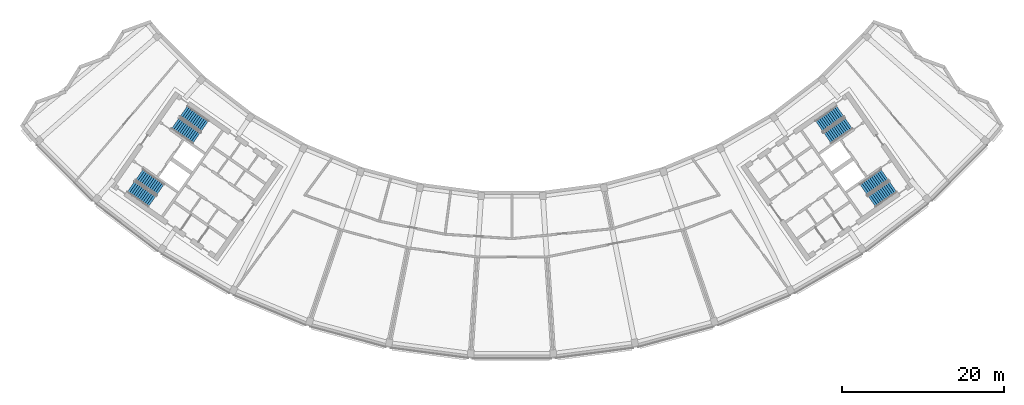
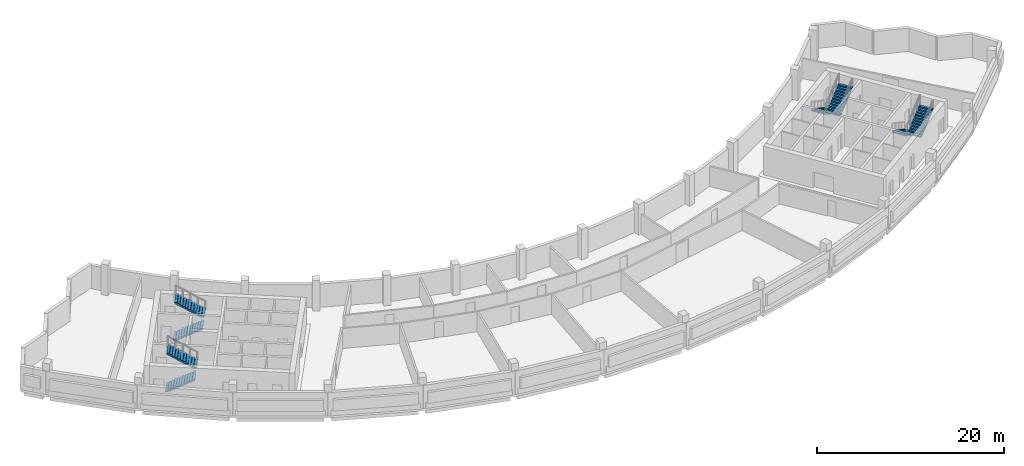
# One storey, part 7 of 11: 8 stair flights, 4 elements without a shape of their own.
"""IFC4 building model written with IfcOpenShell, lengths in metres."""

from ifc_helpers import new_model, si_unit, direction, frame, origin, place, context, subcontext, project, spatial, polyline, outline, extrude, material, type_object, element, aggregate, save


model = new_model("IFC4")

# Units and contexts
model_context = context("Model", 3, precision=1e-05, world=origin(), true_north=direction((0.0, 1.0)))
body_context = subcontext(model_context, "Body", "Model", "MODEL_VIEW")
ifc_project = project(units=[si_unit("LENGTHUNIT", "METRE"), si_unit("AREAUNIT", "SQUARE_METRE"), si_unit("VOLUMEUNIT", "CUBIC_METRE"), si_unit("PLANEANGLEUNIT", "RADIAN"), si_unit("MASSUNIT", "GRAM", prefix="KILO")], contexts=[model_context])

# Site, building, storey
site_placement = place(None, origin())
site = spatial("IfcSite", under=ifc_project, at=site_placement, CompositionType="ELEMENT")
building_placement = place(site_placement, origin())
building = spatial("IfcBuilding", under=site, at=building_placement, Name="Qamariyya Broadcast Tower", CompositionType="ELEMENT")
storey_placement = place(building_placement, frame((0.0, 0.0, 314.699951171875)))
storey = spatial("IfcBuildingStorey", under=building, at=storey_placement, Name="L76", CompositionType="ELEMENT", Elevation=314.699951171875)

# Stair, stair flights
ifc_material = material(Name="Concrete C50/60", Category="concrete")
stair_type = type_object("IfcStairType", Name="Exit stair 24 risers of 167 mm", PredefinedType="HALF_TURN_STAIR", material=ifc_material)
stair_1_placement = place(storey_placement, origin())
stair_1 = element("IfcStair", 1, at=stair_1_placement, inside=storey, type_object=stair_type, Name="L76 Stair W2", PredefinedType="HALF_TURN_STAIR")
stair_flight_type = type_object("IfcStairFlightType", Name="Exit stair flight 12 risers of 167 mm", PredefinedType="STRAIGHT", material=ifc_material)
stair_flight_1_placement = place(storey_placement, frame((-41.59130859375, -49.15966796875, 0.0), z_axis=(0.0, 0.0, 1.0), x_axis=(0.819152044289, -0.573576436351, 0.0)))
stair_flight_1 = element("IfcStairFlight", 2, at=stair_flight_1_placement, type_object=stair_flight_type, Name="ST-W2 flight 1", NumberOfRisers=12, NumberOfTreads=11, PredefinedType="STRAIGHT", RiserHeight=0.166666667, TreadLength=0.29, context=body_context, shape_type="SweptSolid", body=[
    extrude(outline(polyline([(0.0, 0.0), (0.0, 0.166748046875), (0.2900390625, 0.166748046875), (0.2900390625, 0.333251953125), (0.580078125, 0.333251953125), (0.580078125, 0.5), (0.8701171875, 0.5), (0.8701171875, 0.666748046875), (1.159912109375, 0.666748046875), (1.159912109375, 0.833251953125), (1.449951171875, 0.833251953125), (1.449951171875, 1.0), (1.739990234375, 1.0), (1.739990234375, 1.166748046875), (2.030029296875, 1.166748046875), (2.030029296875, 1.333251953125), (2.320068359375, 1.333251953125), (2.320068359375, 1.5), (2.610107421875, 1.5), (2.610107421875, 1.666748046875), (2.89990234375, 1.666748046875), (2.89990234375, 1.833251953125), (3.18994140625, 1.833251953125), (3.18994140625, 2.0), (3.18994140625, 1.660400390625), (0.30078125, 0.0), (0.0, 0.0)])), frame((0.0, 0.824951171875, 0.0), z_axis=(0.0, -1.0, 0.0), x_axis=(1.0, 0.0, 0.0)), (0.0, 0.0, 1.0), 1.64990234375),
])
stair_flight_2_placement = place(storey_placement, frame((-37.945556640625, -49.514892578125, 2.0), z_axis=(0.0, 0.0, 1.0), x_axis=(-0.819152044289, 0.573576436351, 0.0)))
stair_flight_2 = element("IfcStairFlight", 3, at=stair_flight_2_placement, type_object=stair_flight_type, Name="ST-W2 flight 2", NumberOfRisers=12, NumberOfTreads=11, PredefinedType="STRAIGHT", RiserHeight=0.166666667, TreadLength=0.29, context=body_context, shape_type="SweptSolid", body=[
    extrude(outline(polyline([(0.0, 0.0), (0.0, 0.166748046875), (0.2900390625, 0.166748046875), (0.2900390625, 0.333251953125), (0.580078125, 0.333251953125), (0.580078125, 0.5), (0.8701171875, 0.5), (0.8701171875, 0.666748046875), (1.159912109375, 0.666748046875), (1.159912109375, 0.833251953125), (1.449951171875, 0.833251953125), (1.449951171875, 1.0), (1.739990234375, 1.0), (1.739990234375, 1.166748046875), (2.030029296875, 1.166748046875), (2.030029296875, 1.333251953125), (2.320068359375, 1.333251953125), (2.320068359375, 1.5), (2.610107421875, 1.5), (2.610107421875, 1.666748046875), (2.89990234375, 1.666748046875), (2.89990234375, 1.833251953125), (3.18994140625, 1.833251953125), (3.18994140625, 2.0), (3.18994140625, 1.660400390625), (0.30078125, 0.0), (0.0, 0.0)])), frame((0.0, 0.824951171875, 0.0), z_axis=(0.0, -1.0, 0.0), x_axis=(1.0, 0.0, 0.0)), (0.0, 0.0, 1.0), 1.64990234375),
])
aggregate(stair_1, [stair_flight_1, stair_flight_2])

stair_2_placement = place(storey_placement, origin())
stair_2 = element("IfcStair", 4, at=stair_2_placement, inside=storey, type_object=stair_type, Name="L76 Stair W1", PredefinedType="HALF_TURN_STAIR")
stair_flight_3_placement = place(storey_placement, frame((-47.06884765625, -56.982666015625, 0.0), z_axis=(0.0, 0.0, 1.0), x_axis=(0.819152044289, -0.573576436351, 0.0)))
stair_flight_3 = element("IfcStairFlight", 5, at=stair_flight_3_placement, type_object=stair_flight_type, Name="ST-W1 flight 1", NumberOfRisers=12, NumberOfTreads=11, PredefinedType="STRAIGHT", RiserHeight=0.166666667, TreadLength=0.29, context=body_context, shape_type="SweptSolid", body=[
    extrude(outline(polyline([(0.0, 0.0), (0.0, 0.166748046875), (0.2900390625, 0.166748046875), (0.2900390625, 0.333251953125), (0.580078125, 0.333251953125), (0.580078125, 0.5), (0.8701171875, 0.5), (0.8701171875, 0.666748046875), (1.159912109375, 0.666748046875), (1.159912109375, 0.833251953125), (1.449951171875, 0.833251953125), (1.449951171875, 1.0), (1.739990234375, 1.0), (1.739990234375, 1.166748046875), (2.030029296875, 1.166748046875), (2.030029296875, 1.333251953125), (2.320068359375, 1.333251953125), (2.320068359375, 1.5), (2.610107421875, 1.5), (2.610107421875, 1.666748046875), (2.89990234375, 1.666748046875), (2.89990234375, 1.833251953125), (3.18994140625, 1.833251953125), (3.18994140625, 2.0), (3.18994140625, 1.660400390625), (0.30078125, 0.0), (0.0, 0.0)])), frame((0.0, 0.824951171875, 0.0), z_axis=(0.0, -1.0, 0.0), x_axis=(1.0, 0.0, 0.0)), (0.0, 0.0, 1.0), 1.64990234375),
])
stair_flight_4_placement = place(storey_placement, frame((-43.42333984375, -57.337890625, 2.0), z_axis=(0.0, 0.0, 1.0), x_axis=(-0.819152044289, 0.573576436351, 0.0)))
stair_flight_4 = element("IfcStairFlight", 6, at=stair_flight_4_placement, type_object=stair_flight_type, Name="ST-W1 flight 2", NumberOfRisers=12, NumberOfTreads=11, PredefinedType="STRAIGHT", RiserHeight=0.166666667, TreadLength=0.29, context=body_context, shape_type="SweptSolid", body=[
    extrude(outline(polyline([(0.0, 0.0), (0.0, 0.166748046875), (0.2900390625, 0.166748046875), (0.2900390625, 0.333251953125), (0.580078125, 0.333251953125), (0.580078125, 0.5), (0.8701171875, 0.5), (0.8701171875, 0.666748046875), (1.159912109375, 0.666748046875), (1.159912109375, 0.833251953125), (1.449951171875, 0.833251953125), (1.449951171875, 1.0), (1.739990234375, 1.0), (1.739990234375, 1.166748046875), (2.030029296875, 1.166748046875), (2.030029296875, 1.333251953125), (2.320068359375, 1.333251953125), (2.320068359375, 1.5), (2.610107421875, 1.5), (2.610107421875, 1.666748046875), (2.89990234375, 1.666748046875), (2.89990234375, 1.833251953125), (3.18994140625, 1.833251953125), (3.18994140625, 2.0), (3.18994140625, 1.660400390625), (0.30078125, 0.0), (0.0, 0.0)])), frame((0.0, 0.824951171875, 0.0), z_axis=(0.0, -1.0, 0.0), x_axis=(1.0, 0.0, 0.0)), (0.0, 0.0, 1.0), 1.64990234375),
])
aggregate(stair_2, [stair_flight_3, stair_flight_4])

stair_3_placement = place(storey_placement, origin())
stair_3 = element("IfcStair", 7, at=stair_3_placement, inside=storey, type_object=stair_type, Name="L76 Stair E2", PredefinedType="HALF_TURN_STAIR")
stair_flight_5_placement = place(storey_placement, frame((40.558837890625, -47.685302734375, 0.0), z_axis=(0.0, 0.0, 1.0), x_axis=(-0.819152044289, -0.573576436351, 0.0)))
stair_flight_5 = element("IfcStairFlight", 8, at=stair_flight_5_placement, type_object=stair_flight_type, Name="ST-E2 flight 1", NumberOfRisers=12, NumberOfTreads=11, PredefinedType="STRAIGHT", RiserHeight=0.166666667, TreadLength=0.29, context=body_context, shape_type="SweptSolid", body=[
    extrude(outline(polyline([(0.0, 0.0), (0.0, 0.166748046875), (0.2900390625, 0.166748046875), (0.2900390625, 0.333251953125), (0.580078125, 0.333251953125), (0.580078125, 0.5), (0.8701171875, 0.5), (0.8701171875, 0.666748046875), (1.159912109375, 0.666748046875), (1.159912109375, 0.833251953125), (1.449951171875, 0.833251953125), (1.449951171875, 1.0), (1.739990234375, 1.0), (1.739990234375, 1.166748046875), (2.030029296875, 1.166748046875), (2.030029296875, 1.333251953125), (2.320068359375, 1.333251953125), (2.320068359375, 1.5), (2.610107421875, 1.5), (2.610107421875, 1.666748046875), (2.89990234375, 1.666748046875), (2.89990234375, 1.833251953125), (3.18994140625, 1.833251953125), (3.18994140625, 2.0), (3.18994140625, 1.660400390625), (0.30078125, 0.0), (0.0, 0.0)])), frame((0.0, 0.824951171875, 0.0), z_axis=(0.0, -1.0, 0.0), x_axis=(1.0, 0.0, 0.0)), (0.0, 0.0, 1.0), 1.64990234375),
])
stair_flight_6_placement = place(storey_placement, frame((38.97802734375, -50.989501953125, 2.0), z_axis=(0.0, 0.0, 1.0), x_axis=(0.819152044289, 0.573576436351, 0.0)))
stair_flight_6 = element("IfcStairFlight", 9, at=stair_flight_6_placement, type_object=stair_flight_type, Name="ST-E2 flight 2", NumberOfRisers=12, NumberOfTreads=11, PredefinedType="STRAIGHT", RiserHeight=0.166666667, TreadLength=0.29, context=body_context, shape_type="SweptSolid", body=[
    extrude(outline(polyline([(0.0, 0.0), (0.0, 0.166748046875), (0.2900390625, 0.166748046875), (0.2900390625, 0.333251953125), (0.580078125, 0.333251953125), (0.580078125, 0.5), (0.8701171875, 0.5), (0.8701171875, 0.666748046875), (1.159912109375, 0.666748046875), (1.159912109375, 0.833251953125), (1.449951171875, 0.833251953125), (1.449951171875, 1.0), (1.739990234375, 1.0), (1.739990234375, 1.166748046875), (2.030029296875, 1.166748046875), (2.030029296875, 1.333251953125), (2.320068359375, 1.333251953125), (2.320068359375, 1.5), (2.610107421875, 1.5), (2.610107421875, 1.666748046875), (2.89990234375, 1.666748046875), (2.89990234375, 1.833251953125), (3.18994140625, 1.833251953125), (3.18994140625, 2.0), (3.18994140625, 1.660400390625), (0.30078125, 0.0), (0.0, 0.0)])), frame((0.0, 0.824951171875, 0.0), z_axis=(0.0, -1.0, 0.0), x_axis=(1.0, 0.0, 0.0)), (0.0, 0.0, 1.0), 1.64990234375),
])
aggregate(stair_3, [stair_flight_5, stair_flight_6])

stair_4_placement = place(storey_placement, origin())
stair_4 = element("IfcStair", 10, at=stair_4_placement, inside=storey, type_object=stair_type, Name="L76 Stair E1", PredefinedType="HALF_TURN_STAIR")
stair_flight_7_placement = place(storey_placement, frame((46.036376953125, -55.508056640625, 0.0), z_axis=(0.0, 0.0, 1.0), x_axis=(-0.819152044289, -0.573576436351, 0.0)))
stair_flight_7 = element("IfcStairFlight", 11, at=stair_flight_7_placement, type_object=stair_flight_type, Name="ST-E1 flight 1", NumberOfRisers=12, NumberOfTreads=11, PredefinedType="STRAIGHT", RiserHeight=0.166666667, TreadLength=0.29, context=body_context, shape_type="SweptSolid", body=[
    extrude(outline(polyline([(0.0, 0.0), (0.0, 0.166748046875), (0.2900390625, 0.166748046875), (0.2900390625, 0.333251953125), (0.580078125, 0.333251953125), (0.580078125, 0.5), (0.8701171875, 0.5), (0.8701171875, 0.666748046875), (1.159912109375, 0.666748046875), (1.159912109375, 0.833251953125), (1.449951171875, 0.833251953125), (1.449951171875, 1.0), (1.739990234375, 1.0), (1.739990234375, 1.166748046875), (2.030029296875, 1.166748046875), (2.030029296875, 1.333251953125), (2.320068359375, 1.333251953125), (2.320068359375, 1.5), (2.610107421875, 1.5), (2.610107421875, 1.666748046875), (2.89990234375, 1.666748046875), (2.89990234375, 1.833251953125), (3.18994140625, 1.833251953125), (3.18994140625, 2.0), (3.18994140625, 1.660400390625), (0.30078125, 0.0), (0.0, 0.0)])), frame((0.0, 0.824951171875, 0.0), z_axis=(0.0, -1.0, 0.0), x_axis=(1.0, 0.0, 0.0)), (0.0, 0.0, 1.0), 1.64990234375),
])
stair_flight_8_placement = place(storey_placement, frame((44.455810546875, -58.812255859375, 2.0), z_axis=(0.0, 0.0, 1.0), x_axis=(0.819152044289, 0.573576436351, 0.0)))
stair_flight_8 = element("IfcStairFlight", 12, at=stair_flight_8_placement, type_object=stair_flight_type, Name="ST-E1 flight 2", NumberOfRisers=12, NumberOfTreads=11, PredefinedType="STRAIGHT", RiserHeight=0.166666667, TreadLength=0.29, context=body_context, shape_type="SweptSolid", body=[
    extrude(outline(polyline([(0.0, 0.0), (0.0, 0.166748046875), (0.2900390625, 0.166748046875), (0.2900390625, 0.333251953125), (0.580078125, 0.333251953125), (0.580078125, 0.5), (0.8701171875, 0.5), (0.8701171875, 0.666748046875), (1.159912109375, 0.666748046875), (1.159912109375, 0.833251953125), (1.449951171875, 0.833251953125), (1.449951171875, 1.0), (1.739990234375, 1.0), (1.739990234375, 1.166748046875), (2.030029296875, 1.166748046875), (2.030029296875, 1.333251953125), (2.320068359375, 1.333251953125), (2.320068359375, 1.5), (2.610107421875, 1.5), (2.610107421875, 1.666748046875), (2.89990234375, 1.666748046875), (2.89990234375, 1.833251953125), (3.18994140625, 1.833251953125), (3.18994140625, 2.0), (3.18994140625, 1.660400390625), (0.30078125, 0.0), (0.0, 0.0)])), frame((0.0, 0.824951171875, 0.0), z_axis=(0.0, -1.0, 0.0), x_axis=(1.0, 0.0, 0.0)), (0.0, 0.0, 1.0), 1.64990234375),
])
aggregate(stair_4, [stair_flight_7, stair_flight_8])

save(model, "model.ifc")
